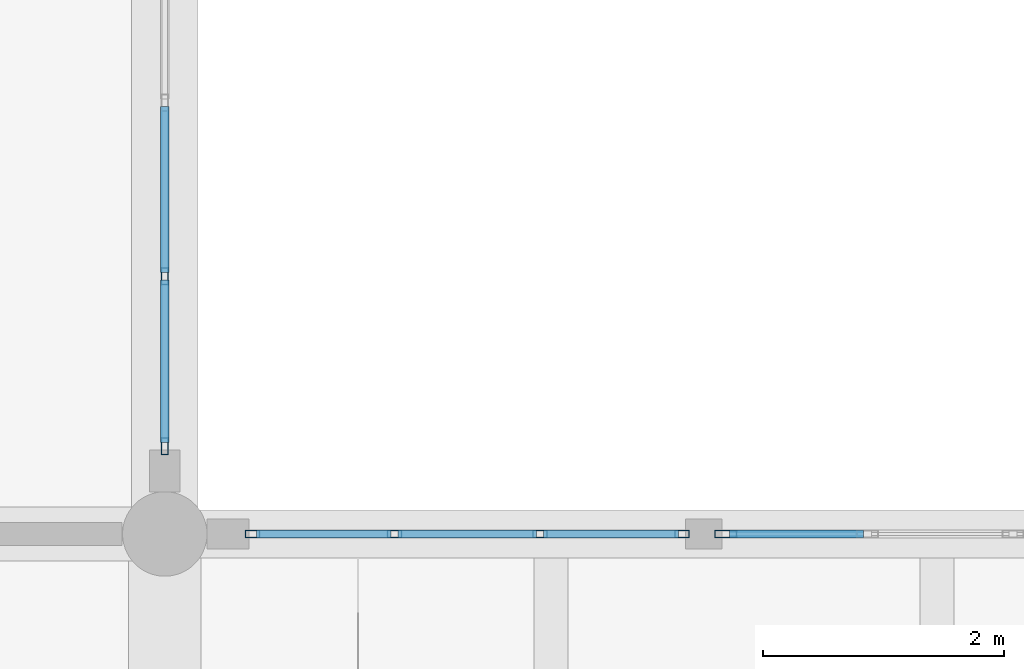
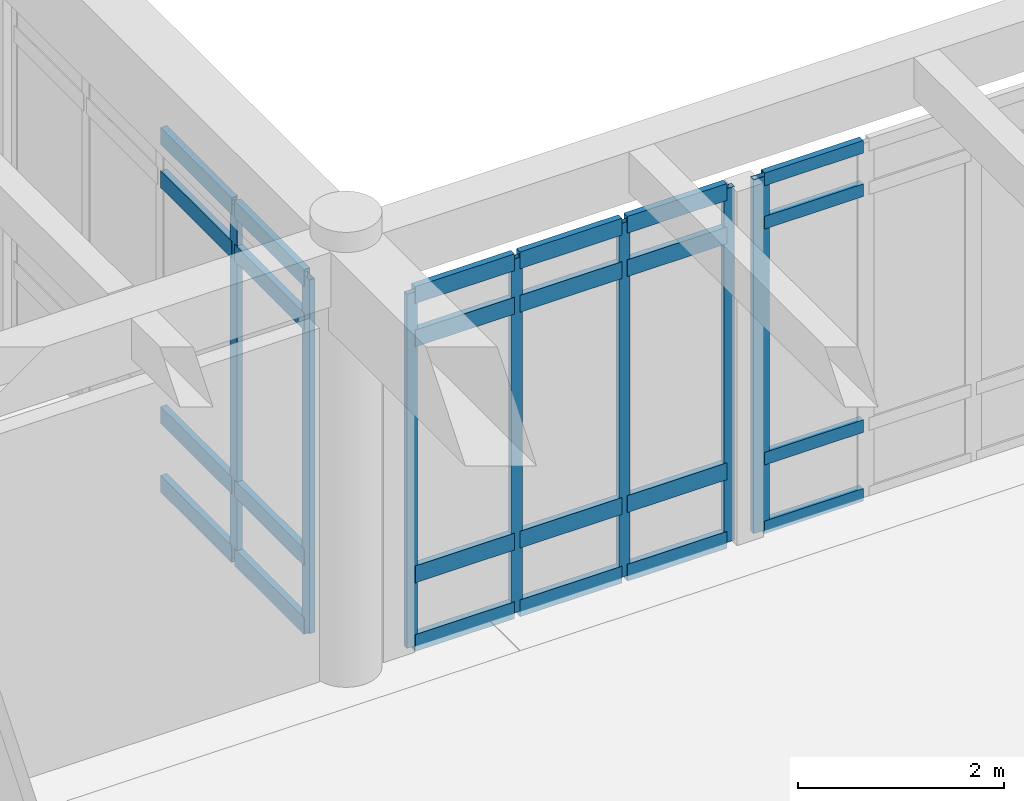
# One storey, part 72 of 138: 31 members, 3 elements without a shape of their own.
"""IFC4 building model written with IfcOpenShell, lengths in metres."""

import ifcopenshell
import ifcopenshell.guid

model = None  # the IFC model being written
_history = None  # IfcOwnerHistory: only IFC2X3 demands one
_inside = {}  # id of a spatial element -> (the spatial element, [elements in it])
_under = {}  # id of a project, library or spatial element -> (it, [spatial elements below it])
_declared = {}  # id of a project -> (the project, [libraries it declares])
_typed = {}  # id of a type object -> (the type object, [elements of that type])
_made_of = {}  # id of a material, layer set ... -> (it, [elements and type objects made of it])


def new_model(schema):
    """Start an empty IFC model of exactly this schema.

    Asked for "IFC4X3", IfcOpenShell would pick the latest addendum, in which some entities
    have other attributes; the version numbers below select the first issue.
    IFC2X3 requires an IfcOwnerHistory on every rooted entity: one is made here for all.
    """
    global model, _history
    if schema == "IFC4X3":
        model = ifcopenshell.file(schema_version=(4, 3, 0, 0))
    else:
        model = ifcopenshell.file(schema=schema)
    _inside.clear()
    _under.clear()
    _declared.clear()
    _typed.clear()
    _made_of.clear()
    _history = None
    if model.schema == "IFC2X3":
        org = make("IfcOrganization", Name="unknown")
        user = make(
            "IfcPersonAndOrganization",
            ThePerson=make("IfcPerson", FamilyName="unknown"),
            TheOrganization=org,
        )
        app = make(
            "IfcApplication",
            ApplicationDeveloper=org,
            Version="unknown",
            ApplicationFullName="unknown",
            ApplicationIdentifier="unknown",
        )
        _history = make(
            "IfcOwnerHistory",
            OwningUser=user,
            OwningApplication=app,
            ChangeAction="ADDED",
            CreationDate=0,
        )
    return model


def make(cls, **values):
    """One entity of the class cls with the attributes given. An attribute that is None is left unset."""
    return model.create_entity(
        cls, **{name: value for name, value in values.items() if value is not None}
    )


def rooted(cls, **values):
    """An entity with a GlobalId (a new one), such as an element, a storey or a relation."""
    return make(cls, GlobalId=ifcopenshell.guid.new(), OwnerHistory=_history, **values)


def si_unit(unit_type, name, prefix=None):
    """IfcSIUnit, for example si_unit("LENGTHUNIT", "METRE", prefix="MILLI")."""
    return make("IfcSIUnit", UnitType=unit_type, Prefix=prefix, Name=name)


def assignment(units):
    """IfcUnitAssignment: the units of a project."""
    return None if units is None else make("IfcUnitAssignment", Units=units)


def point(xyz):
    """IfcCartesianPoint."""
    return None if xyz is None else make("IfcCartesianPoint", Coordinates=xyz)


def direction(xyz):
    """IfcDirection."""
    return None if xyz is None else make("IfcDirection", DirectionRatios=xyz)


def frame(location, z_axis=None, x_axis=None):
    """IfcAxis2Placement3D, a coordinate frame: its origin and axes. An axis left out is left unset."""
    return make(
        "IfcAxis2Placement3D",
        Location=point(location),
        Axis=direction(z_axis),
        RefDirection=direction(x_axis),
    )


def frame_2d(location, x_axis=None):
    """IfcAxis2Placement2D, a coordinate frame in the plane: its origin and x axis."""
    return make(
        "IfcAxis2Placement2D", Location=point(location), RefDirection=direction(x_axis)
    )


def origin():
    """The frame at (0, 0, 0) with its axes left unset."""
    return frame((0.0, 0.0, 0.0))


def origin_2d():
    """The frame at (0, 0) in the plane with its x axis left unset."""
    return frame_2d((0.0, 0.0))


def place(relative_to, where):
    """IfcLocalPlacement: puts the frame where relative to a parent placement (None: the world)."""
    return make(
        "IfcLocalPlacement", PlacementRelTo=relative_to, RelativePlacement=where
    )


def context(
    kind, dimensions, precision=None, world=None, true_north=None, identifier=None
):
    """IfcGeometricRepresentationContext, for example the 3D "Model" context."""
    return make(
        "IfcGeometricRepresentationContext",
        ContextIdentifier=identifier,
        ContextType=kind,
        CoordinateSpaceDimension=dimensions,
        Precision=precision,
        WorldCoordinateSystem=world,
        TrueNorth=true_north,
    )


def subcontext(parent, identifier, kind, view, scale=None):
    """IfcGeometricRepresentationSubContext, for example "Body" below "Model"."""
    return make(
        "IfcGeometricRepresentationSubContext",
        ContextIdentifier=identifier,
        ContextType=kind,
        ParentContext=parent,
        TargetScale=scale,
        TargetView=view,
    )


def project(units=None, contexts=None):
    """IfcProject with its units and contexts."""
    return rooted(
        "IfcProject",
        Name="project",
        RepresentationContexts=contexts,
        UnitsInContext=assignment(units),
    )


def spatial(cls, under=None, at=None, **own):
    """A site, building, storey or space (cls), placed at a placement, below another one or the project."""
    s = rooted(cls, ObjectPlacement=at, **own)
    if under is not None:
        _under.setdefault(under.id(), (under, []))[1].append(s)
    return s


def profile(cls, at=None, kind="AREA", **sizes):
    """A parametric profile (cls). Its sizes go by their IFC names, for example OverallWidth=200.0."""
    return make(cls, ProfileType=kind, Position=at, **sizes)


def hollow_rectangle(**sizes):
    """IfcRectangleHollowProfileDef."""
    return profile("IfcRectangleHollowProfileDef", **sizes)


def extrude(swept, where, along, depth):
    """IfcExtrudedAreaSolid: the profile swept, set in the frame where, extruded along a direction by depth."""
    return make(
        "IfcExtrudedAreaSolid",
        SweptArea=swept,
        Position=where,
        ExtrudedDirection=direction(along),
        Depth=depth,
    )


def shape(context_of_items, identifier, shape_type, items):
    """IfcShapeRepresentation: the items that make up one representation, for example the "Body"."""
    return make(
        "IfcShapeRepresentation",
        ContextOfItems=context_of_items,
        RepresentationIdentifier=identifier,
        RepresentationType=shape_type,
        Items=items,
    )


def material(Name=None, Category=None):
    """IfcMaterial."""
    return make("IfcMaterial", Name=Name, Category=Category)


def layer(
    of_material, thickness, ventilated=None, Name=None, Category=None, Priority=None
):
    """IfcMaterialLayer: one layer of a wall or slab, of a material (None: an air gap)."""
    return make(
        "IfcMaterialLayer",
        Material=of_material,
        LayerThickness=thickness,
        IsVentilated=ventilated,
        Name=Name,
        Category=Category,
        Priority=Priority,
    )


def layer_set(layers, Name=None):
    """IfcMaterialLayerSet."""
    return make("IfcMaterialLayerSet", MaterialLayers=layers, LayerSetName=Name)


def material_profile(
    of_material, cross_section, Name=None, Category=None, Priority=None
):
    """IfcMaterialProfile: a cross section and its material."""
    return make(
        "IfcMaterialProfile",
        Name=Name,
        Material=of_material,
        Profile=cross_section,
        Priority=Priority,
        Category=Category,
    )


def profile_set(profiles, Name=None, composite=None):
    """IfcMaterialProfileSet."""
    return make(
        "IfcMaterialProfileSet",
        Name=Name,
        MaterialProfiles=profiles,
        CompositeProfile=composite,
    )


def made_of(thing, what):
    """Note that an element or type object is made of a material, layer set ...; save() writes the relation."""
    if what is not None:
        _made_of.setdefault(what.id(), (what, []))[1].append(thing)
    return thing


def type_object(cls, material=None, **own):
    """A type object (cls), such as IfcWallType, which elements share."""
    return made_of(rooted(cls, **own), material)


def element(
    cls,
    number,
    at=None,
    inside=None,
    cuts=None,
    type_object=None,
    material=None,
    context=None,
    identifier="Body",
    shape_type=None,
    held_by="IfcProductDefinitionShape",
    body=None,
    shapes=None,
    **own,
):
    """One element of the class cls, such as IfcWall. Its Tag is "e" and its number.

    at: its placement. inside: the storey or other place that contains it. cuts: it is an
    opening in that element (IfcRelVoidsElement). A single representation is given by context,
    identifier, shape_type and body (its items); several are given by shapes. held_by: the class
    of the entity that holds the representations. save() writes the other relations.
    """
    e = rooted(cls, Tag="e%d" % number, ObjectPlacement=at, **own)
    if body is not None:
        shapes = [shape(context, identifier, shape_type, body)]
    if shapes is not None:
        e.Representation = make(held_by, Representations=shapes)
    if inside is not None:
        _inside.setdefault(inside.id(), (inside, []))[1].append(e)
    if cuts is not None:
        rooted(
            "IfcRelVoidsElement", RelatingBuildingElement=cuts, RelatedOpeningElement=e
        )
    if type_object is not None:
        _typed.setdefault(type_object.id(), (type_object, []))[1].append(e)
    return made_of(e, material)


def aggregate(whole, parts):
    """IfcRelAggregates: a whole, such as a stair, and the parts it consists of."""
    return rooted("IfcRelAggregates", RelatingObject=whole, RelatedObjects=parts)


def save(model, path):
    """Write the relations noted so far, then the file.

    IfcRelAggregates (storeys below a building ...), IfcRelContainedInSpatialStructure (elements
    in a storey), IfcRelDefinesByType, IfcRelAssociatesMaterial and IfcRelDeclares: one each for
    every whole, place, type object, material and project.
    """
    for whole, parts in _under.values():
        aggregate(whole, parts)
    for where, things in _inside.values():
        rooted(
            "IfcRelContainedInSpatialStructure",
            RelatedElements=things,
            RelatingStructure=where,
        )
    for kind, things in _typed.values():
        rooted("IfcRelDefinesByType", RelatedObjects=things, RelatingType=kind)
    for what, things in _made_of.values():
        rooted("IfcRelAssociatesMaterial", RelatedObjects=things, RelatingMaterial=what)
    for by, libraries in _declared.values():
        rooted("IfcRelDeclares", RelatingContext=by, RelatedDefinitions=libraries)
    model.write(path)


model = new_model("IFC4")

# Units and contexts
model_context = context("Model", 3, precision=1e-05, world=origin(), true_north=direction((0.0, 1.0)))
body_context = subcontext(model_context, "Body", "Model", "MODEL_VIEW")
ifc_project = project(units=[si_unit("LENGTHUNIT", "METRE"), si_unit("AREAUNIT", "SQUARE_METRE"), si_unit("VOLUMEUNIT", "CUBIC_METRE"), si_unit("PLANEANGLEUNIT", "RADIAN"), si_unit("MASSUNIT", "GRAM", prefix="KILO")], contexts=[model_context])

# Site, building, storey
site_placement = place(None, origin())
site = spatial("IfcSite", under=ifc_project, at=site_placement, CompositionType="ELEMENT")
building_placement = place(site_placement, origin())
building = spatial("IfcBuilding", under=site, at=building_placement, Name="Fikremerkos Civic Library", CompositionType="ELEMENT")
storey_placement = place(building_placement, origin())
storey = spatial("IfcBuildingStorey", under=building, at=storey_placement, Name="L00", CompositionType="ELEMENT", Elevation=0.0)

# Curtain wall, member
ifc_material = material(Name="Anodized aluminium Frame", Category="aluminium")
ifc_layer_1 = layer(ifc_material, 0.159912109375, Name="Anodized aluminium Frame")
ifc_layer_set_1 = layer_set([ifc_layer_1], Name="Anodized aluminium Frame")
curtain_wall_type_1 = type_object("IfcCurtainWallType", Name="Unitised curtain wall CW-09 3600x3400", PredefinedType="USERDEFINED", material=ifc_layer_set_1)
curtain_wall_1_placement = place(storey_placement, origin())
curtain_wall_1 = element("IfcCurtainWall", 1, at=curtain_wall_1_placement, inside=storey, type_object=curtain_wall_type_1, Name="Unitised curtain wall CW-09 L00 #63", ObjectType="UNITISED CURTAIN WALL", PredefinedType="USERDEFINED")
ifc_material_profile_1 = material_profile(ifc_material, hollow_rectangle(XDim=0.06494140625, YDim=0.179931640625, WallThickness=0.00439453125, at=origin_2d()), Name="ALU 180x65x4.5")
ifc_profile_set_1 = profile_set([ifc_material_profile_1], Name="Anodized aluminium Frame")
member_type_1 = type_object("IfcMemberType", Name="Curtain mullion CWM-01 ALU 180x65x4.5", PredefinedType="MULLION", material=ifc_profile_set_1)
member_1_placement = place(storey_placement, frame((139.048583984375, 76.800048828125, 0.0), z_axis=(0.0, 0.0, 1.0), x_axis=(0.0, 1.0, 0.0)))
member_1 = element("IfcMember", 2, at=member_1_placement, type_object=member_type_1, Name="CW-09 mullion 1", PredefinedType="MULLION", context=body_context, shape_type="SweptSolid", body=[
    extrude(hollow_rectangle(XDim=0.06494140625, YDim=0.179931640625, WallThickness=0.00439453125, at=origin_2d()), origin(), (0.0, 0.0, 1.0), 4.199951171875),
])

# Curtain wall, members
ifc_layer_2 = layer(ifc_material, 0.159912109375, Name="Anodized aluminium Frame")
ifc_layer_set_2 = layer_set([ifc_layer_2], Name="Anodized aluminium Frame")
curtain_wall_type_2 = type_object("IfcCurtainWallType", Name="Unitised curtain wall CW-07 3500x4100", PredefinedType="USERDEFINED", material=ifc_layer_set_2)
curtain_wall_2_placement = place(storey_placement, origin())
curtain_wall_2 = element("IfcCurtainWall", 3, at=curtain_wall_2_placement, inside=storey, type_object=curtain_wall_type_2, Name="Unitised curtain wall CW-07 L00 #61", ObjectType="UNITISED CURTAIN WALL", PredefinedType="USERDEFINED")
ifc_material_profile_2 = material_profile(ifc_material, hollow_rectangle(XDim=0.06005859375, YDim=0.139892578125, WallThickness=0.00390625, at=origin_2d()), Name="ALU 140x60x4")
ifc_profile_set_2 = profile_set([ifc_material_profile_2], Name="Anodized aluminium Frame")
member_type_2 = type_object("IfcMemberType", Name="Curtain mullion CWM-03 ALU 140x60x4", PredefinedType="MULLION", material=ifc_profile_set_2)
member_2_placement = place(storey_placement, frame((134.39990234375, 78.935791015625, 0.0), z_axis=(0.0, 0.0, 1.0), x_axis=(1.0, 0.0, 0.0)))
member_2 = element("IfcMember", 4, at=member_2_placement, type_object=member_type_2, Name="CW-07 mullion 4", PredefinedType="MULLION", context=body_context, shape_type="SweptSolid", body=[
    extrude(hollow_rectangle(XDim=0.06005859375, YDim=0.139892578125, WallThickness=0.00390625, at=origin_2d()), origin(), (0.0, 0.0, 1.0), 4.199951171875),
])
member_3_placement = place(storey_placement, frame((134.39990234375, 77.528076171875, 0.0), z_axis=(0.0, 0.0, 1.0), x_axis=(1.0, 0.0, 0.0)))
member_3 = element("IfcMember", 5, at=member_3_placement, type_object=member_type_2, Name="CW-07 mullion 5", PredefinedType="MULLION", context=body_context, shape_type="SweptSolid", body=[
    extrude(hollow_rectangle(XDim=0.06005859375, YDim=0.139892578125, WallThickness=0.00390625, at=origin_2d()), origin(), (0.0, 0.0, 1.0), 4.199951171875),
])

ifc_layer_3 = layer(ifc_material, 0.159912109375, Name="Anodized aluminium Frame")
ifc_layer_set_3 = layer_set([ifc_layer_3], Name="Anodized aluminium Frame")
curtain_wall_type_3 = type_object("IfcCurtainWallType", Name="Unitised curtain wall CW-08 4500x4100", PredefinedType="USERDEFINED", material=ifc_layer_set_3)
curtain_wall_3_placement = place(storey_placement, origin())
curtain_wall_3 = element("IfcCurtainWall", 6, at=curtain_wall_3_placement, inside=storey, type_object=curtain_wall_type_3, Name="Unitised curtain wall CW-08 L00 #62", ObjectType="UNITISED CURTAIN WALL", PredefinedType="USERDEFINED")
ifc_material_profile_3 = material_profile(ifc_material, hollow_rectangle(XDim=0.06005859375, YDim=0.1201171875, WallThickness=0.00390625, at=origin_2d()), Name="ALU 120x60x4")
ifc_profile_set_3 = profile_set([ifc_material_profile_3], Name="Anodized aluminium Frame")
member_type_3 = type_object("IfcMemberType", Name="Curtain mullion CWM-04 ALU 120x60x4", PredefinedType="MULLION", material=ifc_profile_set_3)
member_4_placement = place(storey_placement, frame((135.1279296875, 76.800048828125, 0.0), z_axis=(0.0, 0.0, 1.0), x_axis=(0.0, 1.0, 0.0)))
member_4 = element("IfcMember", 7, at=member_4_placement, type_object=member_type_3, Name="CW-08 mullion 1", PredefinedType="MULLION", context=body_context, shape_type="SweptSolid", body=[
    extrude(hollow_rectangle(XDim=0.06005859375, YDim=0.1201171875, WallThickness=0.00390625, at=origin_2d()), origin(), (0.0, 0.0, 1.0), 4.199951171875),
])
member_5_placement = place(storey_placement, frame((136.303955078125, 76.800048828125, 0.0), z_axis=(0.0, 0.0, 1.0), x_axis=(0.0, 1.0, 0.0)))
member_5 = element("IfcMember", 8, at=member_5_placement, type_object=member_type_3, Name="CW-08 mullion 2", PredefinedType="MULLION", context=body_context, shape_type="SweptSolid", body=[
    extrude(hollow_rectangle(XDim=0.06005859375, YDim=0.1201171875, WallThickness=0.00390625, at=origin_2d()), origin(), (0.0, 0.0, 1.0), 4.199951171875),
])
member_6_placement = place(storey_placement, frame((137.510009765625, 76.800048828125, 0.0), z_axis=(0.0, 0.0, 1.0), x_axis=(0.0, 1.0, 0.0)))
member_6 = element("IfcMember", 9, at=member_6_placement, type_object=member_type_3, Name="CW-08 mullion 3", PredefinedType="MULLION", context=body_context, shape_type="SweptSolid", body=[
    extrude(hollow_rectangle(XDim=0.06005859375, YDim=0.1201171875, WallThickness=0.00390625, at=origin_2d()), origin(), (0.0, 0.0, 1.0), 4.199951171875),
])
member_7_placement = place(storey_placement, frame((138.68603515625, 76.800048828125, 0.0), z_axis=(0.0, 0.0, 1.0), x_axis=(0.0, 1.0, 0.0)))
member_7 = element("IfcMember", 10, at=member_7_placement, type_object=member_type_3, Name="CW-08 mullion 4", PredefinedType="MULLION", context=body_context, shape_type="SweptSolid", body=[
    extrude(hollow_rectangle(XDim=0.06005859375, YDim=0.1201171875, WallThickness=0.00390625, at=origin_2d()), origin(), (0.0, 0.0, 1.0), 4.199951171875),
])

# Member
ifc_material_profile_4 = material_profile(ifc_material, hollow_rectangle(XDim=0.070068359375, YDim=0.14990234375, WallThickness=0.00439453125, at=origin_2d()), Name="ALU 150x70x4.5")
ifc_profile_set_4 = profile_set([ifc_material_profile_4], Name="Anodized aluminium Frame")
member_type_4 = type_object("IfcMemberType", Name="Curtain transom CWT-01 ALU 150x70x4.5", PredefinedType="USERDEFINED", material=ifc_profile_set_4)
member_8_placement = place(storey_placement, frame((139.0810546875, 76.800048828125, 0.034912109375), z_axis=(1.0, 0.0, 0.0), x_axis=(0.0, 1.0, 0.0)))
member_8 = element("IfcMember", 11, at=member_8_placement, type_object=member_type_4, Name="CW-09 transom 1.1", ObjectType="TRANSOM", PredefinedType="USERDEFINED", context=body_context, shape_type="SweptSolid", body=[
    extrude(hollow_rectangle(XDim=0.070068359375, YDim=0.14990234375, WallThickness=0.00439453125, at=origin_2d()), origin(), (0.0, 0.0, 1.0), 1.1083984375),
])

member_9_placement = place(storey_placement, frame((139.0810546875, 76.800048828125, 0.85009765625), z_axis=(1.0, 0.0, 0.0), x_axis=(0.0, 1.0, 0.0)))
member_9 = element("IfcMember", 12, at=member_9_placement, type_object=member_type_4, Name="CW-09 transom 1.2", ObjectType="TRANSOM", PredefinedType="USERDEFINED", context=body_context, shape_type="SweptSolid", body=[
    extrude(hollow_rectangle(XDim=0.070068359375, YDim=0.14990234375, WallThickness=0.00439453125, at=origin_2d()), origin(), (0.0, 0.0, 1.0), 1.1083984375),
])

member_10_placement = place(storey_placement, frame((139.0810546875, 76.800048828125, 3.64990234375), z_axis=(1.0, 0.0, 0.0), x_axis=(0.0, 1.0, 0.0)))
member_10 = element("IfcMember", 13, at=member_10_placement, type_object=member_type_4, Name="CW-09 transom 1.3", ObjectType="TRANSOM", PredefinedType="USERDEFINED", context=body_context, shape_type="SweptSolid", body=[
    extrude(hollow_rectangle(XDim=0.070068359375, YDim=0.14990234375, WallThickness=0.00439453125, at=origin_2d()), origin(), (0.0, 0.0, 1.0), 1.1083984375),
])

member_11_placement = place(storey_placement, frame((139.0810546875, 76.800048828125, 4.1650390625), z_axis=(1.0, 0.0, 0.0), x_axis=(0.0, 1.0, 0.0)))
member_11 = element("IfcMember", 14, at=member_11_placement, type_object=member_type_4, Name="CW-09 transom 1.4", ObjectType="TRANSOM", PredefinedType="USERDEFINED", context=body_context, shape_type="SweptSolid", body=[
    extrude(hollow_rectangle(XDim=0.070068359375, YDim=0.14990234375, WallThickness=0.00439453125, at=origin_2d()), origin(), (0.0, 0.0, 1.0), 1.1083984375),
])

aggregate(curtain_wall_1, [member_1, member_8, member_9, member_10, member_11])

ifc_material_profile_5 = material_profile(ifc_material, hollow_rectangle(XDim=0.070068359375, YDim=0.199951171875, WallThickness=0.0048828125, at=origin_2d()), Name="ALU 200x70x5")
ifc_profile_set_5 = profile_set([ifc_material_profile_5], Name="Anodized aluminium Frame")
member_type_5 = type_object("IfcMemberType", Name="Curtain transom CWT-04 ALU 200x70x5", PredefinedType="USERDEFINED", material=ifc_profile_set_5)
member_12_placement = place(storey_placement, frame((134.39990234375, 80.34375, 0.034912109375), z_axis=(0.0, -1.0, 0.0), x_axis=(1.0, 0.0, 0.0)))
member_12 = element("IfcMember", 15, at=member_12_placement, type_object=member_type_5, Name="CW-07 transom 3.1", ObjectType="TRANSOM", PredefinedType="USERDEFINED", context=body_context, shape_type="SweptSolid", body=[
    extrude(hollow_rectangle(XDim=0.070068359375, YDim=0.199951171875, WallThickness=0.0048828125, at=origin_2d()), origin(), (0.0, 0.0, 1.0), 1.3779296875),
])

member_13_placement = place(storey_placement, frame((134.39990234375, 80.34375, 0.85009765625), z_axis=(0.0, -1.0, 0.0), x_axis=(1.0, 0.0, 0.0)))
member_13 = element("IfcMember", 16, at=member_13_placement, type_object=member_type_5, Name="CW-07 transom 3.2", ObjectType="TRANSOM", PredefinedType="USERDEFINED", context=body_context, shape_type="SweptSolid", body=[
    extrude(hollow_rectangle(XDim=0.070068359375, YDim=0.199951171875, WallThickness=0.0048828125, at=origin_2d()), origin(), (0.0, 0.0, 1.0), 1.3779296875),
])

member_14_placement = place(storey_placement, frame((134.39990234375, 80.34375, 3.64990234375), z_axis=(0.0, -1.0, 0.0), x_axis=(1.0, 0.0, 0.0)))
member_14 = element("IfcMember", 17, at=member_14_placement, type_object=member_type_5, Name="CW-07 transom 3.3", ObjectType="TRANSOM", PredefinedType="USERDEFINED", context=body_context, shape_type="SweptSolid", body=[
    extrude(hollow_rectangle(XDim=0.070068359375, YDim=0.199951171875, WallThickness=0.0048828125, at=origin_2d()), origin(), (0.0, 0.0, 1.0), 1.3779296875),
])

member_15_placement = place(storey_placement, frame((134.39990234375, 80.34375, 4.1650390625), z_axis=(0.0, -1.0, 0.0), x_axis=(1.0, 0.0, 0.0)))
member_15 = element("IfcMember", 18, at=member_15_placement, type_object=member_type_5, Name="CW-07 transom 3.4", ObjectType="TRANSOM", PredefinedType="USERDEFINED", context=body_context, shape_type="SweptSolid", body=[
    extrude(hollow_rectangle(XDim=0.070068359375, YDim=0.199951171875, WallThickness=0.0048828125, at=origin_2d()), origin(), (0.0, 0.0, 1.0), 1.3779296875),
])

member_16_placement = place(storey_placement, frame((134.39990234375, 78.90576171875, 0.034912109375), z_axis=(0.0, -1.0, 0.0), x_axis=(1.0, 0.0, 0.0)))
member_16 = element("IfcMember", 19, at=member_16_placement, type_object=member_type_5, Name="CW-07 transom 4.1", ObjectType="TRANSOM", PredefinedType="USERDEFINED", context=body_context, shape_type="SweptSolid", body=[
    extrude(hollow_rectangle(XDim=0.070068359375, YDim=0.199951171875, WallThickness=0.0048828125, at=origin_2d()), origin(), (0.0, 0.0, 1.0), 1.34765625),
])

member_17_placement = place(storey_placement, frame((134.39990234375, 78.90576171875, 0.85009765625), z_axis=(0.0, -1.0, 0.0), x_axis=(1.0, 0.0, 0.0)))
member_17 = element("IfcMember", 20, at=member_17_placement, type_object=member_type_5, Name="CW-07 transom 4.2", ObjectType="TRANSOM", PredefinedType="USERDEFINED", context=body_context, shape_type="SweptSolid", body=[
    extrude(hollow_rectangle(XDim=0.070068359375, YDim=0.199951171875, WallThickness=0.0048828125, at=origin_2d()), origin(), (0.0, 0.0, 1.0), 1.34765625),
])

member_18_placement = place(storey_placement, frame((134.39990234375, 78.90576171875, 3.64990234375), z_axis=(0.0, -1.0, 0.0), x_axis=(1.0, 0.0, 0.0)))
member_18 = element("IfcMember", 21, at=member_18_placement, type_object=member_type_5, Name="CW-07 transom 4.3", ObjectType="TRANSOM", PredefinedType="USERDEFINED", context=body_context, shape_type="SweptSolid", body=[
    extrude(hollow_rectangle(XDim=0.070068359375, YDim=0.199951171875, WallThickness=0.0048828125, at=origin_2d()), origin(), (0.0, 0.0, 1.0), 1.34765625),
])

member_19_placement = place(storey_placement, frame((134.39990234375, 78.90576171875, 4.1650390625), z_axis=(0.0, -1.0, 0.0), x_axis=(1.0, 0.0, 0.0)))
member_19 = element("IfcMember", 22, at=member_19_placement, type_object=member_type_5, Name="CW-07 transom 4.4", ObjectType="TRANSOM", PredefinedType="USERDEFINED", context=body_context, shape_type="SweptSolid", body=[
    extrude(hollow_rectangle(XDim=0.070068359375, YDim=0.199951171875, WallThickness=0.0048828125, at=origin_2d()), origin(), (0.0, 0.0, 1.0), 1.34765625),
])

aggregate(curtain_wall_2, [member_2, member_3, member_12, member_13, member_14, member_15, member_16, member_17, member_18, member_19])

member_20_placement = place(storey_placement, frame((135.157958984375, 76.800048828125, 0.034912109375), z_axis=(1.0, 0.0, 0.0), x_axis=(0.0, 1.0, 0.0)))
member_20 = element("IfcMember", 23, at=member_20_placement, type_object=member_type_5, Name="CW-08 transom 1.1", ObjectType="TRANSOM", PredefinedType="USERDEFINED", context=body_context, shape_type="SweptSolid", body=[
    extrude(hollow_rectangle(XDim=0.070068359375, YDim=0.199951171875, WallThickness=0.0048828125, at=origin_2d()), origin(), (0.0, 0.0, 1.0), 1.115966796875),
])

member_21_placement = place(storey_placement, frame((135.157958984375, 76.800048828125, 0.85009765625), z_axis=(1.0, 0.0, 0.0), x_axis=(0.0, 1.0, 0.0)))
member_21 = element("IfcMember", 24, at=member_21_placement, type_object=member_type_5, Name="CW-08 transom 1.2", ObjectType="TRANSOM", PredefinedType="USERDEFINED", context=body_context, shape_type="SweptSolid", body=[
    extrude(hollow_rectangle(XDim=0.070068359375, YDim=0.199951171875, WallThickness=0.0048828125, at=origin_2d()), origin(), (0.0, 0.0, 1.0), 1.115966796875),
])

member_22_placement = place(storey_placement, frame((135.157958984375, 76.800048828125, 3.64990234375), z_axis=(1.0, 0.0, 0.0), x_axis=(0.0, 1.0, 0.0)))
member_22 = element("IfcMember", 25, at=member_22_placement, type_object=member_type_5, Name="CW-08 transom 1.3", ObjectType="TRANSOM", PredefinedType="USERDEFINED", context=body_context, shape_type="SweptSolid", body=[
    extrude(hollow_rectangle(XDim=0.070068359375, YDim=0.199951171875, WallThickness=0.0048828125, at=origin_2d()), origin(), (0.0, 0.0, 1.0), 1.115966796875),
])

member_23_placement = place(storey_placement, frame((135.157958984375, 76.800048828125, 4.1650390625), z_axis=(1.0, 0.0, 0.0), x_axis=(0.0, 1.0, 0.0)))
member_23 = element("IfcMember", 26, at=member_23_placement, type_object=member_type_5, Name="CW-08 transom 1.4", ObjectType="TRANSOM", PredefinedType="USERDEFINED", context=body_context, shape_type="SweptSolid", body=[
    extrude(hollow_rectangle(XDim=0.070068359375, YDim=0.199951171875, WallThickness=0.0048828125, at=origin_2d()), origin(), (0.0, 0.0, 1.0), 1.115966796875),
])

member_24_placement = place(storey_placement, frame((136.333984375, 76.800048828125, 0.034912109375), z_axis=(1.0, 0.0, 0.0), x_axis=(0.0, 1.0, 0.0)))
member_24 = element("IfcMember", 27, at=member_24_placement, type_object=member_type_5, Name="CW-08 transom 2.1", ObjectType="TRANSOM", PredefinedType="USERDEFINED", context=body_context, shape_type="SweptSolid", body=[
    extrude(hollow_rectangle(XDim=0.070068359375, YDim=0.199951171875, WallThickness=0.0048828125, at=origin_2d()), origin(), (0.0, 0.0, 1.0), 1.14599609375),
])

member_25_placement = place(storey_placement, frame((136.333984375, 76.800048828125, 0.85009765625), z_axis=(1.0, 0.0, 0.0), x_axis=(0.0, 1.0, 0.0)))
member_25 = element("IfcMember", 28, at=member_25_placement, type_object=member_type_5, Name="CW-08 transom 2.2", ObjectType="TRANSOM", PredefinedType="USERDEFINED", context=body_context, shape_type="SweptSolid", body=[
    extrude(hollow_rectangle(XDim=0.070068359375, YDim=0.199951171875, WallThickness=0.0048828125, at=origin_2d()), origin(), (0.0, 0.0, 1.0), 1.14599609375),
])

member_26_placement = place(storey_placement, frame((136.333984375, 76.800048828125, 3.64990234375), z_axis=(1.0, 0.0, 0.0), x_axis=(0.0, 1.0, 0.0)))
member_26 = element("IfcMember", 29, at=member_26_placement, type_object=member_type_5, Name="CW-08 transom 2.3", ObjectType="TRANSOM", PredefinedType="USERDEFINED", context=body_context, shape_type="SweptSolid", body=[
    extrude(hollow_rectangle(XDim=0.070068359375, YDim=0.199951171875, WallThickness=0.0048828125, at=origin_2d()), origin(), (0.0, 0.0, 1.0), 1.14599609375),
])

member_27_placement = place(storey_placement, frame((136.333984375, 76.800048828125, 4.1650390625), z_axis=(1.0, 0.0, 0.0), x_axis=(0.0, 1.0, 0.0)))
member_27 = element("IfcMember", 30, at=member_27_placement, type_object=member_type_5, Name="CW-08 transom 2.4", ObjectType="TRANSOM", PredefinedType="USERDEFINED", context=body_context, shape_type="SweptSolid", body=[
    extrude(hollow_rectangle(XDim=0.070068359375, YDim=0.199951171875, WallThickness=0.0048828125, at=origin_2d()), origin(), (0.0, 0.0, 1.0), 1.14599609375),
])

member_28_placement = place(storey_placement, frame((137.5400390625, 76.800048828125, 0.034912109375), z_axis=(1.0, 0.0, 0.0), x_axis=(0.0, 1.0, 0.0)))
member_28 = element("IfcMember", 31, at=member_28_placement, type_object=member_type_5, Name="CW-08 transom 3.1", ObjectType="TRANSOM", PredefinedType="USERDEFINED", context=body_context, shape_type="SweptSolid", body=[
    extrude(hollow_rectangle(XDim=0.070068359375, YDim=0.199951171875, WallThickness=0.0048828125, at=origin_2d()), origin(), (0.0, 0.0, 1.0), 1.115966796875),
])

member_29_placement = place(storey_placement, frame((137.5400390625, 76.800048828125, 0.85009765625), z_axis=(1.0, 0.0, 0.0), x_axis=(0.0, 1.0, 0.0)))
member_29 = element("IfcMember", 32, at=member_29_placement, type_object=member_type_5, Name="CW-08 transom 3.2", ObjectType="TRANSOM", PredefinedType="USERDEFINED", context=body_context, shape_type="SweptSolid", body=[
    extrude(hollow_rectangle(XDim=0.070068359375, YDim=0.199951171875, WallThickness=0.0048828125, at=origin_2d()), origin(), (0.0, 0.0, 1.0), 1.115966796875),
])

member_30_placement = place(storey_placement, frame((137.5400390625, 76.800048828125, 3.64990234375), z_axis=(1.0, 0.0, 0.0), x_axis=(0.0, 1.0, 0.0)))
member_30 = element("IfcMember", 33, at=member_30_placement, type_object=member_type_5, Name="CW-08 transom 3.3", ObjectType="TRANSOM", PredefinedType="USERDEFINED", context=body_context, shape_type="SweptSolid", body=[
    extrude(hollow_rectangle(XDim=0.070068359375, YDim=0.199951171875, WallThickness=0.0048828125, at=origin_2d()), origin(), (0.0, 0.0, 1.0), 1.115966796875),
])

member_31_placement = place(storey_placement, frame((137.5400390625, 76.800048828125, 4.1650390625), z_axis=(1.0, 0.0, 0.0), x_axis=(0.0, 1.0, 0.0)))
member_31 = element("IfcMember", 34, at=member_31_placement, type_object=member_type_5, Name="CW-08 transom 3.4", ObjectType="TRANSOM", PredefinedType="USERDEFINED", context=body_context, shape_type="SweptSolid", body=[
    extrude(hollow_rectangle(XDim=0.070068359375, YDim=0.199951171875, WallThickness=0.0048828125, at=origin_2d()), origin(), (0.0, 0.0, 1.0), 1.115966796875),
])

aggregate(curtain_wall_3, [member_4, member_5, member_6, member_7, member_20, member_21, member_22, member_23, member_24, member_25, member_26, member_27, member_28, member_29, member_30, member_31])

save(model, "model.ifc")
